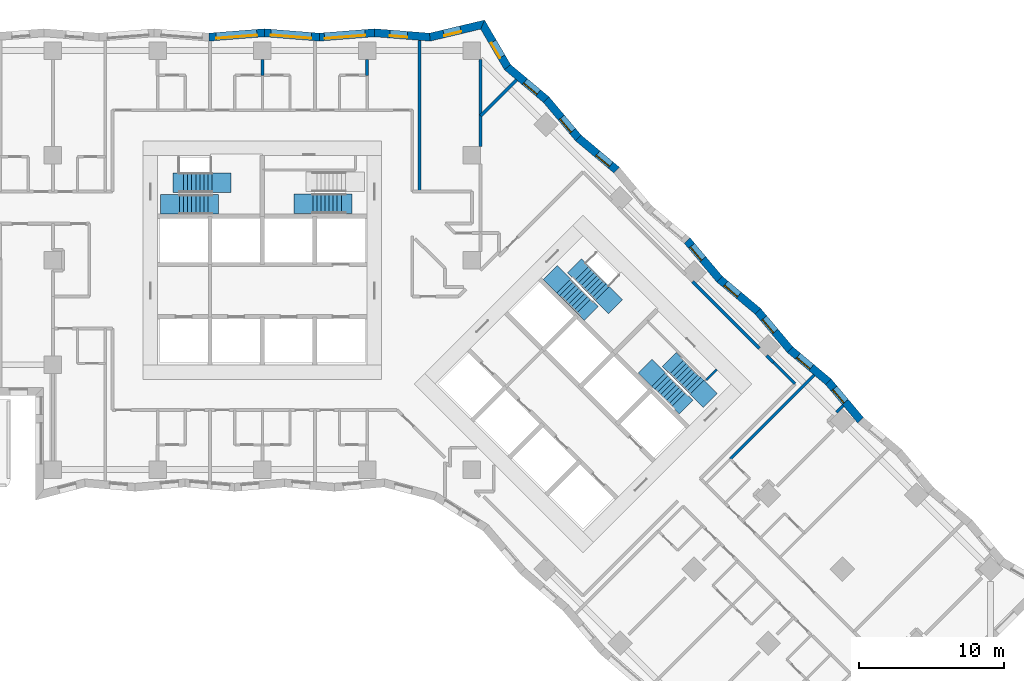
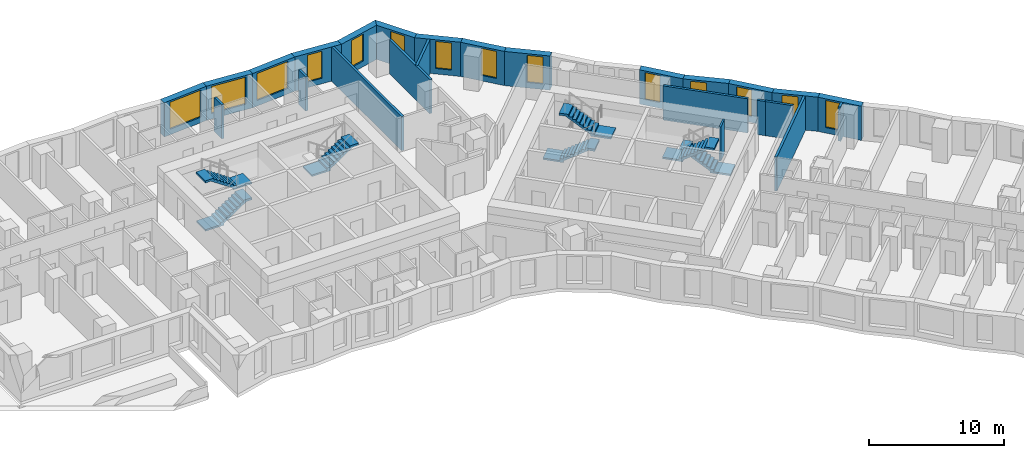
# One storey, part 12 of 15: 25 walls, 14 windows, 7 stair flights, 14 openings, 4 elements without a shape of their own.
"""IFC4 building model written with IfcOpenShell, lengths in metres."""

from ifc_helpers import new_model, si_unit, direction, frame, frame_2d, origin, place, context, subcontext, project, spatial, polyline, rectangle, outline, extrude, material, layer, layer_set, type_object, element, fill, aggregate, save


model = new_model("IFC4")

# Units and contexts
model_context = context("Model", 3, precision=1e-05, world=origin(), true_north=direction((0.0, 1.0)))
body_context = subcontext(model_context, "Body", "Model", "MODEL_VIEW")
ifc_project = project(units=[si_unit("LENGTHUNIT", "METRE"), si_unit("AREAUNIT", "SQUARE_METRE"), si_unit("VOLUMEUNIT", "CUBIC_METRE"), si_unit("PLANEANGLEUNIT", "RADIAN"), si_unit("MASSUNIT", "GRAM", prefix="KILO")], contexts=[model_context])

# Site, building, storey
site_placement = place(None, origin())
site = spatial("IfcSite", under=ifc_project, at=site_placement, CompositionType="ELEMENT")
building_placement = place(site_placement, origin())
building = spatial("IfcBuilding", under=site, at=building_placement, Name="Windrow Commons", CompositionType="ELEMENT")
storey_placement = place(building_placement, frame((0.0, 0.0, 27.0)))
storey = spatial("IfcBuildingStorey", under=building, at=storey_placement, Name="L06", CompositionType="ELEMENT", Elevation=27.0)

# Wall, opening, window
ifc_material_1 = material(Name="Brick masonry, red clay brick", Category="masonry")
ifc_layer_1 = layer(ifc_material_1, 0.55)
ifc_layer_set_1 = layer_set([ifc_layer_1], Name="Brick facade wall 550")
wall_type_1 = type_object("IfcWallType", Name="Brick facade wall 550", PredefinedType="SOLIDWALL", material=ifc_layer_set_1)
wall_1_placement = place(storey_placement, frame((105.9125, 46.5942, 0.0), z_axis=(0.0, 0.0, 1.0), x_axis=(-0.6427893761, 0.7660429609, 0.0)))
wall_1 = element("IfcWall", 1, at=wall_1_placement, inside=storey, type_object=wall_type_1, Name="Brick facade wall L06 12", PredefinedType="SOLIDWALL", context=body_context, shape_type="SweptSolid", body=[
    extrude(outline(polyline([(0.0241, -0.275), (3.4665, -0.275), (3.4184, 0.275), (-0.0241, 0.275), (0.0241, -0.275)])), origin(), (0.0, 0.0, 1.0), 3.1),
])
opening_1_placement = place(wall_1_placement, frame((1.6374, 0.0, 0.5)))
opening_1 = element("IfcOpeningElement", 2, at=opening_1_placement, cuts=wall_1, Name="Opening W7D", PredefinedType="OPENING", context=body_context, shape_type="SweptSolid", body=[
    extrude(rectangle(XDim=1.2, YDim=2.45, at=frame_2d((0.6, 1.225))), frame((0.0, 0.285, 0.0), z_axis=(0.0, -1.0, 0.0), x_axis=(1.0, 0.0, 0.0)), (0.0, 0.0, 1.0), 0.57),
])
ifc_material_2 = material(Name="Clear float glass in anodised aluminium frame", Category="aluminium")
window_type_1 = type_object("IfcWindowType", Name="Window W7 notch 1200x2450", PartitioningType="SINGLE_PANEL", PredefinedType="WINDOW", material=ifc_material_2)
window_1_placement = place(opening_1_placement, origin())
window_1 = element("IfcWindow", 3, at=window_1_placement, inside=storey, type_object=window_type_1, Name="Window L06 12.1", OverallHeight=2.45, OverallWidth=1.2, PartitioningType="SINGLE_PANEL", PredefinedType="WINDOW", context=body_context, shape_type="SweptSolid", body=[
    extrude(rectangle(XDim=1.2, YDim=2.45, at=frame_2d((0.6, 1.225))), frame((0.0, 0.155, 0.0), z_axis=(0.0, -1.0, 0.0), x_axis=(1.0, 0.0, 0.0)), (0.0, 0.0, 1.0), 0.06),
])
fill(opening_1, window_1)

wall_2_placement = place(storey_placement, frame((103.6997, 49.2313, 0.0), z_axis=(0.0, 0.0, 1.0), x_axis=(-0.7660429609, 0.6427893761, 0.0)))
wall_2 = element("IfcWall", 4, at=wall_2_placement, inside=storey, type_object=wall_type_1, Name="Brick facade wall L06 13", PredefinedType="SOLIDWALL", context=body_context, shape_type="SweptSolid", body=[
    extrude(outline(polyline([(-0.0241, -0.275), (3.4184, -0.275), (3.4665, 0.275), (0.0241, 0.275), (-0.0241, -0.275)])), origin(), (0.0, 0.0, 1.0), 3.1),
])
opening_2_placement = place(wall_2_placement, frame((1.5351, 0.0, 0.5)))
opening_2 = element("IfcOpeningElement", 5, at=opening_2_placement, cuts=wall_2, Name="Opening W7D", PredefinedType="OPENING", context=body_context, shape_type="SweptSolid", body=[
    extrude(rectangle(XDim=1.2, YDim=2.45, at=frame_2d((0.6, 1.225))), frame((0.0, 0.285, 0.0), z_axis=(0.0, -1.0, 0.0), x_axis=(1.0, 0.0, 0.0)), (0.0, 0.0, 1.0), 0.57),
])
window_2_placement = place(opening_2_placement, origin())
window_2 = element("IfcWindow", 6, at=window_2_placement, inside=storey, type_object=window_type_1, Name="Window L06 13.1", OverallHeight=2.45, OverallWidth=1.2, PartitioningType="SINGLE_PANEL", PredefinedType="WINDOW", context=body_context, shape_type="SweptSolid", body=[
    extrude(rectangle(XDim=1.2, YDim=2.45, at=frame_2d((0.6, 1.225))), frame((0.0, 0.155, 0.0), z_axis=(0.0, -1.0, 0.0), x_axis=(1.0, 0.0, 0.0)), (0.0, 0.0, 1.0), 0.06),
])
fill(opening_2, window_2)

wall_3_placement = place(storey_placement, frame((101.0626, 51.4441, 0.0), z_axis=(0.0, 0.0, 1.0), x_axis=(-0.6428036801, 0.7660309582, 0.0)))
wall_3 = element("IfcWall", 7, at=wall_3_placement, inside=storey, type_object=wall_type_1, Name="Brick facade wall L06 14", PredefinedType="SOLIDWALL", context=body_context, shape_type="SweptSolid", body=[
    extrude(outline(polyline([(0.0241, -0.275), (3.4665, -0.275), (3.4184, 0.275), (-0.0241, 0.275), (0.0241, -0.275)])), origin(), (0.0, 0.0, 1.0), 3.1),
])
opening_3_placement = place(wall_3_placement, frame((1.6087, 0.0, 0.5)))
opening_3 = element("IfcOpeningElement", 8, at=opening_3_placement, cuts=wall_3, Name="Opening W7D", PredefinedType="OPENING", context=body_context, shape_type="SweptSolid", body=[
    extrude(rectangle(XDim=1.2, YDim=2.45, at=frame_2d((0.6, 1.225))), frame((0.0, 0.285, 0.0), z_axis=(0.0, -1.0, 0.0), x_axis=(1.0, 0.0, 0.0)), (0.0, 0.0, 1.0), 0.57),
])
window_3_placement = place(opening_3_placement, origin())
window_3 = element("IfcWindow", 9, at=window_3_placement, inside=storey, type_object=window_type_1, Name="Window L06 14.1", OverallHeight=2.45, OverallWidth=1.2, PartitioningType="SINGLE_PANEL", PredefinedType="WINDOW", context=body_context, shape_type="SweptSolid", body=[
    extrude(rectangle(XDim=1.2, YDim=2.45, at=frame_2d((0.6, 1.225))), frame((0.0, 0.155, 0.0), z_axis=(0.0, -1.0, 0.0), x_axis=(1.0, 0.0, 0.0)), (0.0, 0.0, 1.0), 0.06),
])
fill(opening_3, window_3)

wall_4_placement = place(storey_placement, frame((98.8498, 54.0811, 0.0), z_axis=(0.0, 0.0, 1.0), x_axis=(-0.7660309582, 0.6428036801, 0.0)))
wall_4 = element("IfcWall", 10, at=wall_4_placement, inside=storey, type_object=wall_type_1, Name="Brick facade wall L06 15", PredefinedType="SOLIDWALL", context=body_context, shape_type="SweptSolid", body=[
    extrude(outline(polyline([(-0.0241, -0.275), (3.4184, -0.275), (3.4665, 0.275), (0.0241, 0.275), (-0.0241, -0.275)])), origin(), (0.0, 0.0, 1.0), 3.1),
])
opening_4_placement = place(wall_4_placement, frame((1.7064, 0.0, 0.5)))
opening_4 = element("IfcOpeningElement", 11, at=opening_4_placement, cuts=wall_4, Name="Opening W7D", PredefinedType="OPENING", context=body_context, shape_type="SweptSolid", body=[
    extrude(rectangle(XDim=1.2, YDim=2.45, at=frame_2d((0.6, 1.225))), frame((0.0, 0.285, 0.0), z_axis=(0.0, -1.0, 0.0), x_axis=(1.0, 0.0, 0.0)), (0.0, 0.0, 1.0), 0.57),
])
window_4_placement = place(opening_4_placement, origin())
window_4 = element("IfcWindow", 12, at=window_4_placement, inside=storey, type_object=window_type_1, Name="Window L06 15.1", OverallHeight=2.45, OverallWidth=1.2, PartitioningType="SINGLE_PANEL", PredefinedType="WINDOW", context=body_context, shape_type="SweptSolid", body=[
    extrude(rectangle(XDim=1.2, YDim=2.45, at=frame_2d((0.6, 1.225))), frame((0.0, 0.155, 0.0), z_axis=(0.0, -1.0, 0.0), x_axis=(1.0, 0.0, 0.0)), (0.0, 0.0, 1.0), 0.06),
])
fill(opening_4, window_4)

wall_5_placement = place(storey_placement, frame((96.2128, 56.2939, 0.0), z_axis=(0.0, 0.0, 1.0), x_axis=(-0.6427893761, 0.7660429609, 0.0)))
wall_5 = element("IfcWall", 13, at=wall_5_placement, inside=storey, type_object=wall_type_1, Name="Brick facade wall L06 16", PredefinedType="SOLIDWALL", context=body_context, shape_type="SweptSolid", body=[
    extrude(outline(polyline([(0.0241, -0.275), (3.4665, -0.275), (3.4184, 0.275), (-0.0241, 0.275), (0.0241, -0.275)])), origin(), (0.0, 0.0, 1.0), 3.1),
])
opening_5_placement = place(wall_5_placement, frame((1.78, 0.0, 0.5)))
opening_5 = element("IfcOpeningElement", 14, at=opening_5_placement, cuts=wall_5, Name="Opening W7D", PredefinedType="OPENING", context=body_context, shape_type="SweptSolid", body=[
    extrude(rectangle(XDim=1.2, YDim=2.45, at=frame_2d((0.6, 1.225))), frame((0.0, 0.285, 0.0), z_axis=(0.0, -1.0, 0.0), x_axis=(1.0, 0.0, 0.0)), (0.0, 0.0, 1.0), 0.57),
])
window_5_placement = place(opening_5_placement, origin())
window_5 = element("IfcWindow", 15, at=window_5_placement, inside=storey, type_object=window_type_1, Name="Window L06 16.1", OverallHeight=2.45, OverallWidth=1.2, PartitioningType="SINGLE_PANEL", PredefinedType="WINDOW", context=body_context, shape_type="SweptSolid", body=[
    extrude(rectangle(XDim=1.2, YDim=2.45, at=frame_2d((0.6, 1.225))), frame((0.0, 0.155, 0.0), z_axis=(0.0, -1.0, 0.0), x_axis=(1.0, 0.0, 0.0)), (0.0, 0.0, 1.0), 0.06),
])
fill(opening_5, window_5)

wall_6_placement = place(storey_placement, frame((89.1501, 63.7808, 0.0), z_axis=(0.0, 0.0, 1.0), x_axis=(-0.7660309582, 0.6428036801, 0.0)))
wall_6 = element("IfcWall", 16, at=wall_6_placement, inside=storey, type_object=wall_type_1, Name="Brick facade wall L06 19", PredefinedType="SOLIDWALL", context=body_context, shape_type="SweptSolid", body=[
    extrude(outline(polyline([(-0.0241, -0.275), (3.4184, -0.275), (3.4665, 0.275), (0.0241, 0.275), (-0.0241, -0.275)])), origin(), (0.0, 0.0, 1.0), 3.1),
])
opening_6_placement = place(wall_6_placement, frame((0.5398, 0.0, 0.5)))
opening_6 = element("IfcOpeningElement", 17, at=opening_6_placement, cuts=wall_6, Name="Opening W7D", PredefinedType="OPENING", context=body_context, shape_type="SweptSolid", body=[
    extrude(rectangle(XDim=1.2, YDim=2.45, at=frame_2d((0.6, 1.225))), frame((0.0, 0.285, 0.0), z_axis=(0.0, -1.0, 0.0), x_axis=(1.0, 0.0, 0.0)), (0.0, 0.0, 1.0), 0.57),
])
window_6_placement = place(opening_6_placement, origin())
window_6 = element("IfcWindow", 18, at=window_6_placement, inside=storey, type_object=window_type_1, Name="Window L06 19.1", OverallHeight=2.45, OverallWidth=1.2, PartitioningType="SINGLE_PANEL", PredefinedType="WINDOW", context=body_context, shape_type="SweptSolid", body=[
    extrude(rectangle(XDim=1.2, YDim=2.45, at=frame_2d((0.6, 1.225))), frame((0.0, 0.155, 0.0), z_axis=(0.0, -1.0, 0.0), x_axis=(1.0, 0.0, 0.0)), (0.0, 0.0, 1.0), 0.06),
])
fill(opening_6, window_6)

wall_7_placement = place(storey_placement, frame((86.5131, 65.9936, 0.0), z_axis=(0.0, 0.0, 1.0), x_axis=(-0.6427893761, 0.7660429609, 0.0)))
wall_7 = element("IfcWall", 19, at=wall_7_placement, inside=storey, type_object=wall_type_1, Name="Brick facade wall L06 20", PredefinedType="SOLIDWALL", context=body_context, shape_type="SweptSolid", body=[
    extrude(outline(polyline([(0.0241, -0.275), (3.4665, -0.275), (3.4184, 0.275), (-0.0241, 0.275), (0.0241, -0.275)])), origin(), (0.0, 0.0, 1.0), 3.1),
])
opening_7_placement = place(wall_7_placement, frame((0.6134, 0.0, 0.5)))
opening_7 = element("IfcOpeningElement", 20, at=opening_7_placement, cuts=wall_7, Name="Opening W7D", PredefinedType="OPENING", context=body_context, shape_type="SweptSolid", body=[
    extrude(rectangle(XDim=1.2, YDim=2.45, at=frame_2d((0.6, 1.225))), frame((0.0, 0.285, 0.0), z_axis=(0.0, -1.0, 0.0), x_axis=(1.0, 0.0, 0.0)), (0.0, 0.0, 1.0), 0.57),
])
window_7_placement = place(opening_7_placement, origin())
window_7 = element("IfcWindow", 21, at=window_7_placement, inside=storey, type_object=window_type_1, Name="Window L06 20.1", OverallHeight=2.45, OverallWidth=1.2, PartitioningType="SINGLE_PANEL", PredefinedType="WINDOW", context=body_context, shape_type="SweptSolid", body=[
    extrude(rectangle(XDim=1.2, YDim=2.45, at=frame_2d((0.6, 1.225))), frame((0.0, 0.155, 0.0), z_axis=(0.0, -1.0, 0.0), x_axis=(1.0, 0.0, 0.0)), (0.0, 0.0, 1.0), 0.06),
])
fill(opening_7, window_7)

wall_8_placement = place(storey_placement, frame((84.3003, 68.6307, 0.0), z_axis=(0.0, 0.0, 1.0), x_axis=(-0.7660412241, 0.6427914459, 0.0)))
wall_8 = element("IfcWall", 22, at=wall_8_placement, inside=storey, type_object=wall_type_1, Name="Brick facade wall L06 21", PredefinedType="SOLIDWALL", context=body_context, shape_type="SweptSolid", body=[
    extrude(outline(polyline([(-0.0241, -0.275), (3.4184, -0.275), (3.5139, 0.275), (0.0241, 0.275), (-0.0241, -0.275)])), origin(), (0.0, 0.0, 1.0), 3.1),
])
opening_8_placement = place(wall_8_placement, frame((0.711, 0.0, 0.5)))
opening_8 = element("IfcOpeningElement", 23, at=opening_8_placement, cuts=wall_8, Name="Opening W7D", PredefinedType="OPENING", context=body_context, shape_type="SweptSolid", body=[
    extrude(rectangle(XDim=1.2, YDim=2.45, at=frame_2d((0.6, 1.225))), frame((0.0, 0.285, 0.0), z_axis=(0.0, -1.0, 0.0), x_axis=(1.0, 0.0, 0.0)), (0.0, 0.0, 1.0), 0.57),
])
window_8_placement = place(opening_8_placement, origin())
window_8 = element("IfcWindow", 24, at=window_8_placement, inside=storey, type_object=window_type_1, Name="Window L06 21.1", OverallHeight=2.45, OverallWidth=1.2, PartitioningType="SINGLE_PANEL", PredefinedType="WINDOW", context=body_context, shape_type="SweptSolid", body=[
    extrude(rectangle(XDim=1.2, YDim=2.45, at=frame_2d((0.6, 1.225))), frame((0.0, 0.155, 0.0), z_axis=(0.0, -1.0, 0.0), x_axis=(1.0, 0.0, 0.0)), (0.0, 0.0, 1.0), 0.06),
])
fill(opening_8, window_8)

wall_9_placement = place(storey_placement, frame((81.6451, 70.8587, 0.0), z_axis=(0.0, 0.0, 1.0), x_axis=(-0.5044689103, 0.8634298573, 0.0)))
wall_9 = element("IfcWall", 25, at=wall_9_placement, inside=storey, type_object=wall_type_1, Name="Brick facade wall L06 22", PredefinedType="SOLIDWALL", context=body_context, shape_type="SweptSolid", body=[
    extrude(outline(polyline([(0.0478, -0.275), (3.5933, -0.275), (3.1857, 0.275), (-0.0478, 0.275), (0.0478, -0.275)])), origin(), (0.0, 0.0, 1.0), 3.1),
])
opening_9_placement = place(wall_9_placement, frame((0.8109, 0.0, 0.5)))
opening_9 = element("IfcOpeningElement", 26, at=opening_9_placement, cuts=wall_9, Name="Opening W7D", PredefinedType="OPENING", context=body_context, shape_type="SweptSolid", body=[
    extrude(rectangle(XDim=1.2, YDim=2.45, at=frame_2d((0.6, 1.225))), frame((0.0, 0.285, 0.0), z_axis=(0.0, -1.0, 0.0), x_axis=(1.0, 0.0, 0.0)), (0.0, 0.0, 1.0), 0.57),
])
window_9_placement = place(opening_9_placement, origin())
window_9 = element("IfcWindow", 27, at=window_9_placement, inside=storey, type_object=window_type_1, Name="Window L06 22.1", OverallHeight=2.45, OverallWidth=1.2, PartitioningType="SINGLE_PANEL", PredefinedType="WINDOW", context=body_context, shape_type="SweptSolid", body=[
    extrude(rectangle(XDim=1.2, YDim=2.45, at=frame_2d((0.6, 1.225))), frame((0.0, 0.155, 0.0), z_axis=(0.0, -1.0, 0.0), x_axis=(1.0, 0.0, 0.0)), (0.0, 0.0, 1.0), 0.06),
])
fill(opening_9, window_9)

wall_10_placement = place(storey_placement, frame((79.9352, 73.7853, 0.0), z_axis=(0.0, 0.0, 1.0), x_axis=(-0.9728826648, -0.2312992014, 0.0)))
wall_10 = element("IfcWall", 28, at=wall_10_placement, inside=storey, type_object=wall_type_1, Name="Brick facade wall L06 23", PredefinedType="SOLIDWALL", context=body_context, shape_type="SweptSolid", body=[
    extrude(outline(polyline([(-0.2038, -0.275), (3.6874, -0.275), (3.774, 0.275), (0.2038, 0.275), (-0.2038, -0.275)])), origin(), (0.0, 0.0, 1.0), 3.1),
])
opening_10_placement = place(wall_10_placement, frame((1.5432, 0.0, 0.5)))
opening_10 = element("IfcOpeningElement", 29, at=opening_10_placement, cuts=wall_10, Name="Opening W7D", PredefinedType="OPENING", context=body_context, shape_type="SweptSolid", body=[
    extrude(rectangle(XDim=1.2, YDim=2.45, at=frame_2d((0.6, 1.225))), frame((0.0, 0.285, 0.0), z_axis=(0.0, -1.0, 0.0), x_axis=(1.0, 0.0, 0.0)), (0.0, 0.0, 1.0), 0.57),
])
window_10_placement = place(opening_10_placement, origin())
window_10 = element("IfcWindow", 30, at=window_10_placement, inside=storey, type_object=window_type_1, Name="Window L06 23.1", OverallHeight=2.45, OverallWidth=1.2, PartitioningType="SINGLE_PANEL", PredefinedType="WINDOW", context=body_context, shape_type="SweptSolid", body=[
    extrude(rectangle(XDim=1.2, YDim=2.45, at=frame_2d((0.6, 1.225))), frame((0.0, 0.155, 0.0), z_axis=(0.0, -1.0, 0.0), x_axis=(1.0, 0.0, 0.0)), (0.0, 0.0, 1.0), 0.06),
])
fill(opening_10, window_10)

wall_11_placement = place(storey_placement, frame((76.3057, 72.9224, 0.0), z_axis=(0.0, 0.0, 1.0), x_axis=(-0.9968745318, 0.0790010628, 0.0)))
wall_11 = element("IfcWall", 31, at=wall_11_placement, inside=storey, type_object=wall_type_1, Name="Brick facade wall L06 24", PredefinedType="SOLIDWALL", context=body_context, shape_type="SweptSolid", body=[
    extrude(outline(polyline([(0.0433, -0.275), (3.8408, -0.275), (3.7972, 0.275), (-0.0433, 0.275), (0.0433, -0.275)])), origin(), (0.0, 0.0, 1.0), 3.1),
])
opening_11_placement = place(wall_11_placement, frame((1.5526, 0.0, 0.5)))
opening_11 = element("IfcOpeningElement", 32, at=opening_11_placement, cuts=wall_11, Name="Opening W7D", PredefinedType="OPENING", context=body_context, shape_type="SweptSolid", body=[
    extrude(rectangle(XDim=1.2, YDim=2.45, at=frame_2d((0.6, 1.225))), frame((0.0, 0.285, 0.0), z_axis=(0.0, -1.0, 0.0), x_axis=(1.0, 0.0, 0.0)), (0.0, 0.0, 1.0), 0.57),
])
window_11_placement = place(opening_11_placement, origin())
window_11 = element("IfcWindow", 33, at=window_11_placement, inside=storey, type_object=window_type_1, Name="Window L06 24.1", OverallHeight=2.45, OverallWidth=1.2, PartitioningType="SINGLE_PANEL", PredefinedType="WINDOW", context=body_context, shape_type="SweptSolid", body=[
    extrude(rectangle(XDim=1.2, YDim=2.45, at=frame_2d((0.6, 1.225))), frame((0.0, 0.155, 0.0), z_axis=(0.0, -1.0, 0.0), x_axis=(1.0, 0.0, 0.0)), (0.0, 0.0, 1.0), 0.06),
])
fill(opening_11, window_11)

wall_12_placement = place(storey_placement, frame((72.4987, 73.2241, 0.0), z_axis=(0.0, 0.0, 1.0), x_axis=(-0.9968747806, -0.0789979222, 0.0)))
wall_12 = element("IfcWall", 34, at=wall_12_placement, inside=storey, type_object=wall_type_1, Name="Brick facade wall L06 25", PredefinedType="SOLIDWALL", context=body_context, shape_type="SweptSolid", body=[
    extrude(outline(polyline([(-0.0218, -0.275), (3.7757, -0.275), (3.8193, 0.275), (0.0218, 0.275), (-0.0218, -0.275)])), origin(), (0.0, 0.0, 1.0), 3.1),
])
opening_12_placement = place(wall_12_placement, frame((0.6489, 0.0, 0.5)))
opening_12 = element("IfcOpeningElement", 35, at=opening_12_placement, cuts=wall_12, Name="Opening W1T", PredefinedType="OPENING", context=body_context, shape_type="SweptSolid", body=[
    extrude(rectangle(XDim=2.8, YDim=2.45, at=frame_2d((1.4, 1.225))), frame((0.0, 0.285, 0.0), z_axis=(0.0, -1.0, 0.0), x_axis=(1.0, 0.0, 0.0)), (0.0, 0.0, 1.0), 0.57),
])
ifc_material_3 = material(Name="Clear float glass in anodised aluminium frame", Category="aluminium")
window_type_2 = type_object("IfcWindowType", Name="Window W1T bedroom 2800x2450", PartitioningType="SINGLE_PANEL", PredefinedType="WINDOW", material=ifc_material_3)
window_12_placement = place(opening_12_placement, origin())
window_12 = element("IfcWindow", 36, at=window_12_placement, inside=storey, type_object=window_type_2, Name="Window L06 25.1", OverallHeight=2.45, OverallWidth=2.8, PartitioningType="SINGLE_PANEL", PredefinedType="WINDOW", context=body_context, shape_type="SweptSolid", body=[
    extrude(rectangle(XDim=2.8, YDim=2.45, at=frame_2d((1.4, 1.225))), frame((0.0, 0.155, 0.0), z_axis=(0.0, -1.0, 0.0), x_axis=(1.0, 0.0, 0.0)), (0.0, 0.0, 1.0), 0.06),
])
fill(opening_12, window_12)

wall_13_placement = place(storey_placement, frame((68.713, 72.9241, 0.0), z_axis=(0.0, 0.0, 1.0), x_axis=(-0.9968746163, 0.078999996, 0.0)))
wall_13 = element("IfcWall", 37, at=wall_13_placement, inside=storey, type_object=wall_type_1, Name="Brick facade wall L06 26", PredefinedType="SOLIDWALL", context=body_context, shape_type="SweptSolid", body=[
    extrude(outline(polyline([(0.0218, -0.275), (3.8193, -0.275), (3.7757, 0.275), (-0.0218, 0.275), (0.0218, -0.275)])), origin(), (0.0, 0.0, 1.0), 3.1),
])
opening_13_placement = place(wall_13_placement, frame((0.5449, 0.0, 0.5)))
opening_13 = element("IfcOpeningElement", 38, at=opening_13_placement, cuts=wall_13, Name="Opening W1T", PredefinedType="OPENING", context=body_context, shape_type="SweptSolid", body=[
    extrude(rectangle(XDim=2.8, YDim=2.45, at=frame_2d((1.4, 1.225))), frame((0.0, 0.285, 0.0), z_axis=(0.0, -1.0, 0.0), x_axis=(1.0, 0.0, 0.0)), (0.0, 0.0, 1.0), 0.57),
])
window_13_placement = place(opening_13_placement, origin())
window_13 = element("IfcWindow", 39, at=window_13_placement, inside=storey, type_object=window_type_2, Name="Window L06 26.1", OverallHeight=2.45, OverallWidth=2.8, PartitioningType="SINGLE_PANEL", PredefinedType="WINDOW", context=body_context, shape_type="SweptSolid", body=[
    extrude(rectangle(XDim=2.8, YDim=2.45, at=frame_2d((1.4, 1.225))), frame((0.0, 0.155, 0.0), z_axis=(0.0, -1.0, 0.0), x_axis=(1.0, 0.0, 0.0)), (0.0, 0.0, 1.0), 0.06),
])
fill(opening_13, window_13)

wall_14_placement = place(storey_placement, frame((64.9274, 73.2241, 0.0), z_axis=(0.0, 0.0, 1.0), x_axis=(-0.9968746163, -0.078999996, 0.0)))
wall_14 = element("IfcWall", 40, at=wall_14_placement, inside=storey, type_object=wall_type_1, Name="Brick facade wall L06 27", PredefinedType="SOLIDWALL", context=body_context, shape_type="SweptSolid", body=[
    extrude(outline(polyline([(-0.0218, -0.275), (3.7757, -0.275), (3.8193, 0.275), (0.0218, 0.275), (-0.0218, -0.275)])), origin(), (0.0, 0.0, 1.0), 3.1),
])
opening_14_placement = place(wall_14_placement, frame((0.5096, 0.0, 0.5)))
opening_14 = element("IfcOpeningElement", 41, at=opening_14_placement, cuts=wall_14, Name="Opening W1T", PredefinedType="OPENING", context=body_context, shape_type="SweptSolid", body=[
    extrude(rectangle(XDim=2.8, YDim=2.45, at=frame_2d((1.4, 1.225))), frame((0.0, 0.285, 0.0), z_axis=(0.0, -1.0, 0.0), x_axis=(1.0, 0.0, 0.0)), (0.0, 0.0, 1.0), 0.57),
])
window_14_placement = place(opening_14_placement, origin())
window_14 = element("IfcWindow", 42, at=window_14_placement, inside=storey, type_object=window_type_2, Name="Window L06 27.1", OverallHeight=2.45, OverallWidth=2.8, PartitioningType="SINGLE_PANEL", PredefinedType="WINDOW", context=body_context, shape_type="SweptSolid", body=[
    extrude(rectangle(XDim=2.8, YDim=2.45, at=frame_2d((1.4, 1.225))), frame((0.0, 0.155, 0.0), z_axis=(0.0, -1.0, 0.0), x_axis=(1.0, 0.0, 0.0)), (0.0, 0.0, 1.0), 0.06),
])
fill(opening_14, window_14)

# Walls
ifc_material_4 = material(Name="Blockwork partition", Category="masonry")
ifc_layer_2 = layer(ifc_material_4, 0.2)
ifc_layer_set_2 = layer_set([ifc_layer_2], Name="IW-CORRIDOR-200")
wall_type_2 = type_object("IfcWallType", Name="IW-CORRIDOR-200", PredefinedType="PARTITIONING", material=ifc_layer_set_2)
wall_15_placement = place(storey_placement, frame((94.3632, 56.1232, 0.0), z_axis=(0.0, 0.0, 1.0), x_axis=(0.7071067812, -0.7071067812, 0.0)))
element("IfcWall", 43, at=wall_15_placement, inside=storey, type_object=wall_type_2, Name="W-L06-W026", PredefinedType="PARTITIONING", context=body_context, shape_type="SweptSolid", body=[
    extrude(rectangle(XDim=6.5026, YDim=0.2, at=frame_2d((3.2513, 0.0))), origin(), (0.0, 0.0, 1.0), 3.1),
])
wall_16_placement = place(storey_placement, frame((99.9177, 50.5737, 0.0), z_axis=(0.0, 0.0, 1.0), x_axis=(0.7075827869, -0.7066304548, 0.0)))
element("IfcWall", 44, at=wall_16_placement, inside=storey, type_object=wall_type_2, Name="W-L06-W132", PredefinedType="PARTITIONING", context=body_context, shape_type="SweptSolid", body=[
    extrude(rectangle(XDim=2.1001, YDim=0.2, at=frame_2d((1.05, 0.0))), origin(), (0.0, 0.0, 1.0), 3.1),
])
wall_17_placement = place(storey_placement, frame((99.4532, 51.0332, 0.0), z_axis=(0.0, 0.0, 1.0), x_axis=(0.7071067812, -0.7071067812, 0.0)))
element("IfcWall", 45, at=wall_17_placement, inside=storey, type_object=wall_type_2, Name="W-L06-W194", PredefinedType="PARTITIONING", context=body_context, shape_type="SweptSolid", body=[
    extrude(rectangle(XDim=0.6534, YDim=0.2, at=frame_2d((0.3267, 0.0))), origin(), (0.0, 0.0, 1.0), 3.1),
])
ifc_material_5 = material(Name="Blockwork partition", Category="masonry")
ifc_layer_3 = layer(ifc_material_5, 0.2)
ifc_layer_set_3 = layer_set([ifc_layer_3], Name="IW-PARTY-200")
wall_type_3 = type_object("IfcWallType", Name="IW-PARTY-200", PredefinedType="PARTITIONING", material=ifc_layer_set_3)
wall_18_placement = place(storey_placement, frame((75.6, 62.3, 0.0), z_axis=(0.0, 0.0, 1.0), x_axis=(0.0, 1.0, 0.0)))
element("IfcWall", 46, at=wall_18_placement, inside=storey, type_object=wall_type_3, Name="W-L06-W008", PredefinedType="PARTITIONING", context=body_context, shape_type="SweptSolid", body=[
    extrude(rectangle(XDim=10.4025, YDim=0.2, at=frame_2d((5.2012, 0.0))), origin(), (0.0, 0.0, 1.0), 3.1),
])
wall_19_placement = place(storey_placement, frame((96.9474, 43.9286, 0.0), z_axis=(0.0, 0.0, 1.0), x_axis=(0.7071067812, 0.7071067812, 0.0)))
element("IfcWall", 47, at=wall_19_placement, inside=storey, type_object=wall_type_3, Name="W-L06-W014", PredefinedType="PARTITIONING", context=body_context, shape_type="SweptSolid", body=[
    extrude(rectangle(XDim=8.1585, YDim=0.2, at=frame_2d((4.0793, 0.0))), origin(), (0.0, 0.0, 1.0), 3.1),
])
wall_20_placement = place(storey_placement, frame((79.8, 65.4, 0.0), z_axis=(0.0, 0.0, 1.0), x_axis=(0.0, 1.0, 0.0)))
element("IfcWall", 48, at=wall_20_placement, inside=storey, type_object=wall_type_3, Name="W-L06-W035", PredefinedType="PARTITIONING", context=body_context, shape_type="SweptSolid", body=[
    extrude(rectangle(XDim=6.0, YDim=0.2, at=frame_2d((3.0, 0.0))), origin(), (0.0, 0.0, 1.0), 3.1),
])
wall_21_placement = place(storey_placement, frame((79.7988, 67.5092, 0.0), z_axis=(0.0, 0.0, 1.0), x_axis=(0.7070924582, 0.7071211039, 0.0)))
element("IfcWall", 49, at=wall_21_placement, inside=storey, type_object=wall_type_3, Name="W-L06-W066", PredefinedType="PARTITIONING", context=body_context, shape_type="SweptSolid", body=[
    extrude(rectangle(XDim=3.4909, YDim=0.2, at=frame_2d((1.7454, 0.0))), origin(), (0.0, 0.0, 1.0), 3.1),
])
for number, where, z_axis, x_axis, name in (
    (50, (64.8, 70.3, 0.0), (0.0, 0.0, 1.0), (0.0, 1.0, 0.0), "W-L06-W182"),
    (51, (72.0, 70.3, 0.0), (0.0, 0.0, 1.0), (0.0, 1.0, 0.0), "W-L06-W183"),
):
    element("IfcWall", number, at=place(storey_placement, frame(where, z_axis=z_axis, x_axis=x_axis)), inside=storey, type_object=wall_type_3, Name=name, PredefinedType="PARTITIONING", context=body_context, shape_type="SweptSolid", body=[
        extrude(rectangle(XDim=1.1, YDim=0.2, at=frame_2d((0.55, 0.0))), origin(), (0.0, 0.0, 1.0), 3.1),
    ])
wall_22_placement = place(storey_placement, frame((104.265, 47.145, 0.0), z_axis=(0.0, 0.0, 1.0), x_axis=(0.7071067812, 0.7071067812, 0.0)))
element("IfcWall", 52, at=wall_22_placement, inside=storey, type_object=wall_type_3, Name="W-L06-W195", PredefinedType="PARTITIONING", context=body_context, shape_type="SweptSolid", body=[
    extrude(rectangle(XDim=0.6354, YDim=0.2, at=frame_2d((0.3177, 0.0))), origin(), (0.0, 0.0, 1.0), 3.1),
])
ifc_material_6 = material(Name="Blockwork partition", Category="masonry")
ifc_layer_4 = layer(ifc_material_6, 0.15)
ifc_layer_set_4 = layer_set([ifc_layer_4], Name="Riser partition 150")
wall_type_4 = type_object("IfcWallType", Name="Riser partition 150", PredefinedType="PARTITIONING", material=ifc_layer_set_4)
wall_23_placement = place(storey_placement, frame((95.3079, 49.3584, 0.0), z_axis=(0.0, 0.0, 1.0), x_axis=(0.70705776, 0.707155799, 0.0)))
element("IfcWall", 53, at=wall_23_placement, inside=storey, type_object=wall_type_4, Name="W-core-stripx-B-L06-1", PredefinedType="PARTITIONING", context=body_context, shape_type="SweptSolid", body=[
    extrude(rectangle(XDim=1.02, YDim=0.15, at=frame_2d((0.51, 0.0))), origin(), (0.0, 0.0, 1.0), 3.1),
])

# Stair, stair flights
ifc_material_7 = material(Name="Concrete C40/50", Category="concrete")
stair_type = type_object("IfcStairType", Name="Core stair", PredefinedType="HALF_TURN_STAIR", material=ifc_material_7)
placement = place(storey_placement, origin())
stair_1 = element("IfcStair", 54, at=placement, inside=storey, type_object=stair_type, Name="L06 Exit stair A1 core A", PredefinedType="HALF_TURN_STAIR")
ifc_material_8 = material(Name="Concrete C40/50", Category="concrete")
stair_flight_type = type_object("IfcStairFlightType", Name="Core stair flight", PredefinedType="STRAIGHT", material=ifc_material_8)
stair_flight_1_placement = place(storey_placement, frame((59.1, 61.425, 0.0), z_axis=(0.0, 0.0, 1.0), x_axis=(1.0, 0.0, 0.0)))
stair_flight_1 = element("IfcStairFlight", 55, at=stair_flight_1_placement, type_object=stair_flight_type, Name="ST-A1 flight 1", NumberOfRisers=9, NumberOfTreads=8, PredefinedType="STRAIGHT", RiserHeight=0.188888889, TreadLength=0.28, context=body_context, shape_type="SweptSolid", body=[
    extrude(outline(polyline([(-1.3, -0.15), (-1.3, 0.0), (0.0, 0.0), (0.0, 0.1889), (0.28, 0.1889), (0.28, 0.3778), (0.56, 0.3778), (0.56, 0.5667), (0.84, 0.5667), (0.84, 0.7556), (1.12, 0.7556), (1.12, 0.9444), (1.4, 0.9444), (1.4, 1.1333), (1.68, 1.1333), (1.68, 1.3222), (1.96, 1.3222), (1.96, 1.5111), (2.24, 1.5111), (2.69, 1.5111), (2.69, 1.3111), (2.24, 1.3111), (2.24, 1.3302), (0.2682, 0.0), (0.2682, -0.15), (-1.3, -0.15)])), frame((0.0, 0.675, 0.0), z_axis=(0.0, -1.0, 0.0), x_axis=(1.0, 0.0, 0.0)), (0.0, 0.0, 1.0), 1.35),
])
stair_flight_2_placement = place(storey_placement, frame((61.34, 62.925, 1.7), z_axis=(0.0, 0.0, 1.0), x_axis=(-1.0, 0.0, 0.0)))
stair_flight_2 = element("IfcStairFlight", 56, at=stair_flight_2_placement, type_object=stair_flight_type, Name="ST-A1 flight 2", NumberOfRisers=9, NumberOfTreads=8, PredefinedType="STRAIGHT", RiserHeight=0.188888889, TreadLength=0.28, context=body_context, shape_type="SweptSolid", body=[
    extrude(outline(polyline([(-1.3, -0.15), (-1.3, 0.0), (0.0, 0.0), (0.0, 0.1889), (0.28, 0.1889), (0.28, 0.3778), (0.56, 0.3778), (0.56, 0.5667), (0.84, 0.5667), (0.84, 0.7556), (1.12, 0.7556), (1.12, 0.9444), (1.4, 0.9444), (1.4, 1.1333), (1.68, 1.1333), (1.68, 1.3222), (1.96, 1.3222), (1.96, 1.5111), (2.24, 1.5111), (2.69, 1.5111), (2.69, 1.3111), (2.24, 1.3111), (2.24, 1.3302), (0.2682, 0.0), (0.2682, -0.15), (-1.3, -0.15)])), frame((0.0, 0.675, 0.0), z_axis=(0.0, -1.0, 0.0), x_axis=(1.0, 0.0, 0.0)), (0.0, 0.0, 1.0), 1.35),
])
aggregate(stair_1, [stair_flight_1, stair_flight_2])

# Stair, stair flight
stair_2 = element("IfcStair", 57, at=placement, inside=storey, type_object=stair_type, Name="L06 Exit stair A2 core A", PredefinedType="HALF_TURN_STAIR")
stair_flight_3_placement = place(storey_placement, frame((68.26, 61.48, 1.7), z_axis=(0.0, 0.0, 1.0), x_axis=(1.0, 0.0, 0.0)))
stair_flight_3 = element("IfcStairFlight", 58, at=stair_flight_3_placement, type_object=stair_flight_type, Name="ST-A2 flight 2", NumberOfRisers=9, NumberOfTreads=8, PredefinedType="STRAIGHT", RiserHeight=0.188888889, TreadLength=0.28, context=body_context, shape_type="SweptSolid", body=[
    extrude(outline(polyline([(-1.3, -0.15), (-1.3, 0.0), (0.0, 0.0), (0.0, 0.1889), (0.28, 0.1889), (0.28, 0.3778), (0.56, 0.3778), (0.56, 0.5667), (0.84, 0.5667), (0.84, 0.7556), (1.12, 0.7556), (1.12, 0.9444), (1.4, 0.9444), (1.4, 1.1333), (1.68, 1.1333), (1.68, 1.3222), (1.96, 1.3222), (1.96, 1.5111), (2.24, 1.5111), (2.69, 1.5111), (2.69, 1.3111), (2.24, 1.3111), (2.24, 1.3302), (0.2682, 0.0), (0.2682, -0.15), (-1.3, -0.15)])), frame((0.0, 0.675, 0.0), z_axis=(0.0, -1.0, 0.0), x_axis=(1.0, 0.0, 0.0)), (0.0, 0.0, 1.0), 1.35),
])
aggregate(stair_2, [stair_flight_3])

# Stair, stair flights
stair_3 = element("IfcStair", 59, at=placement, inside=storey, type_object=stair_type, Name="L06 Exit stair B1 core B", PredefinedType="HALF_TURN_STAIR")
stair_flight_4_placement = place(storey_placement, frame((85.5109, 55.8249, 0.0), z_axis=(0.0, 0.0, 1.0), x_axis=(0.7071067812, -0.7071067812, 0.0)))
stair_flight_4 = element("IfcStairFlight", 60, at=stair_flight_4_placement, type_object=stair_flight_type, Name="ST-B1 flight 1", NumberOfRisers=9, NumberOfTreads=8, PredefinedType="STRAIGHT", RiserHeight=0.188888889, TreadLength=0.28, context=body_context, shape_type="SweptSolid", body=[
    extrude(outline(polyline([(-1.3, -0.15), (-1.3, 0.0), (0.0, 0.0), (0.0, 0.1889), (0.28, 0.1889), (0.28, 0.3778), (0.56, 0.3778), (0.56, 0.5667), (0.84, 0.5667), (0.84, 0.7556), (1.12, 0.7556), (1.12, 0.9444), (1.4, 0.9444), (1.4, 1.1333), (1.68, 1.1333), (1.68, 1.3222), (1.96, 1.3222), (1.96, 1.5111), (2.24, 1.5111), (2.69, 1.5111), (2.69, 1.3111), (2.24, 1.3111), (2.24, 1.3302), (0.2682, 0.0), (0.2682, -0.15), (-1.3, -0.15)])), frame((0.0, 0.675, 0.0), z_axis=(0.0, -1.0, 0.0), x_axis=(1.0, 0.0, 0.0)), (0.0, 0.0, 1.0), 1.35),
])
stair_flight_5_placement = place(storey_placement, frame((88.1555, 55.3017, 1.7), z_axis=(0.0, 0.0, 1.0), x_axis=(-0.7071067812, 0.7071067812, 0.0)))
stair_flight_5 = element("IfcStairFlight", 61, at=stair_flight_5_placement, type_object=stair_flight_type, Name="ST-B1 flight 2", NumberOfRisers=9, NumberOfTreads=8, PredefinedType="STRAIGHT", RiserHeight=0.188888889, TreadLength=0.28, context=body_context, shape_type="SweptSolid", body=[
    extrude(outline(polyline([(-1.3, -0.15), (-1.3, 0.0), (0.0, 0.0), (0.0, 0.1889), (0.28, 0.1889), (0.28, 0.3778), (0.56, 0.3778), (0.56, 0.5667), (0.84, 0.5667), (0.84, 0.7556), (1.12, 0.7556), (1.12, 0.9444), (1.4, 0.9444), (1.4, 1.1333), (1.68, 1.1333), (1.68, 1.3222), (1.96, 1.3222), (1.96, 1.5111), (2.24, 1.5111), (2.69, 1.5111), (2.69, 1.3111), (2.24, 1.3111), (2.24, 1.3302), (0.2682, 0.0), (0.2682, -0.15), (-1.3, -0.15)])), frame((0.0, 0.675, 0.0), z_axis=(0.0, -1.0, 0.0), x_axis=(1.0, 0.0, 0.0)), (0.0, 0.0, 1.0), 1.35),
])
aggregate(stair_3, [stair_flight_4, stair_flight_5])

stair_4 = element("IfcStair", 62, at=placement, inside=storey, type_object=stair_type, Name="L06 Exit stair B2 core B", PredefinedType="HALF_TURN_STAIR")
stair_flight_6_placement = place(storey_placement, frame((94.6715, 48.8635, 0.0), z_axis=(0.0, 0.0, 1.0), x_axis=(-0.7071067812, 0.7071067812, 0.0)))
stair_flight_6 = element("IfcStairFlight", 63, at=stair_flight_6_placement, type_object=stair_flight_type, Name="ST-B2 flight 1", NumberOfRisers=9, NumberOfTreads=8, PredefinedType="STRAIGHT", RiserHeight=0.188888889, TreadLength=0.28, context=body_context, shape_type="SweptSolid", body=[
    extrude(outline(polyline([(-1.3, -0.15), (-1.3, 0.0), (0.0, 0.0), (0.0, 0.1889), (0.28, 0.1889), (0.28, 0.3778), (0.56, 0.3778), (0.56, 0.5667), (0.84, 0.5667), (0.84, 0.7556), (1.12, 0.7556), (1.12, 0.9444), (1.4, 0.9444), (1.4, 1.1333), (1.68, 1.1333), (1.68, 1.3222), (1.96, 1.3222), (1.96, 1.5111), (2.24, 1.5111), (2.69, 1.5111), (2.69, 1.3111), (2.24, 1.3111), (2.24, 1.3302), (0.2682, 0.0), (0.2682, -0.15), (-1.3, -0.15)])), frame((0.0, 0.675, 0.0), z_axis=(0.0, -1.0, 0.0), x_axis=(1.0, 0.0, 0.0)), (0.0, 0.0, 1.0), 1.35),
])
stair_flight_7_placement = place(storey_placement, frame((92.0269, 49.3867, 1.7), z_axis=(0.0, 0.0, 1.0), x_axis=(0.7071067812, -0.7071067812, 0.0)))
stair_flight_7 = element("IfcStairFlight", 64, at=stair_flight_7_placement, type_object=stair_flight_type, Name="ST-B2 flight 2", NumberOfRisers=9, NumberOfTreads=8, PredefinedType="STRAIGHT", RiserHeight=0.188888889, TreadLength=0.28, context=body_context, shape_type="SweptSolid", body=[
    extrude(outline(polyline([(-1.3, -0.15), (-1.3, 0.0), (0.0, 0.0), (0.0, 0.1889), (0.28, 0.1889), (0.28, 0.3778), (0.56, 0.3778), (0.56, 0.5667), (0.84, 0.5667), (0.84, 0.7556), (1.12, 0.7556), (1.12, 0.9444), (1.4, 0.9444), (1.4, 1.1333), (1.68, 1.1333), (1.68, 1.3222), (1.96, 1.3222), (1.96, 1.5111), (2.24, 1.5111), (2.69, 1.5111), (2.69, 1.3111), (2.24, 1.3111), (2.24, 1.3302), (0.2682, 0.0), (0.2682, -0.15), (-1.3, -0.15)])), frame((0.0, 0.675, 0.0), z_axis=(0.0, -1.0, 0.0), x_axis=(1.0, 0.0, 0.0)), (0.0, 0.0, 1.0), 1.35),
])
aggregate(stair_4, [stair_flight_6, stair_flight_7])

save(model, "model.ifc")
